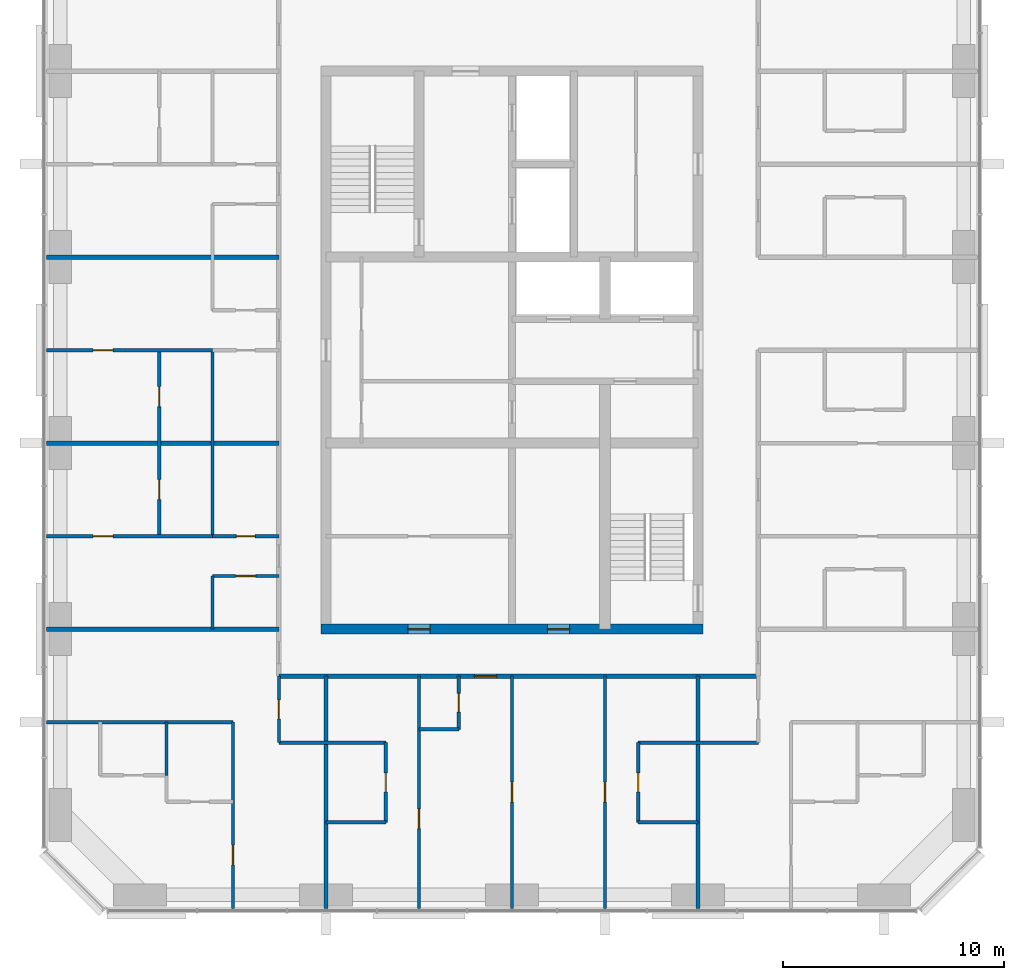
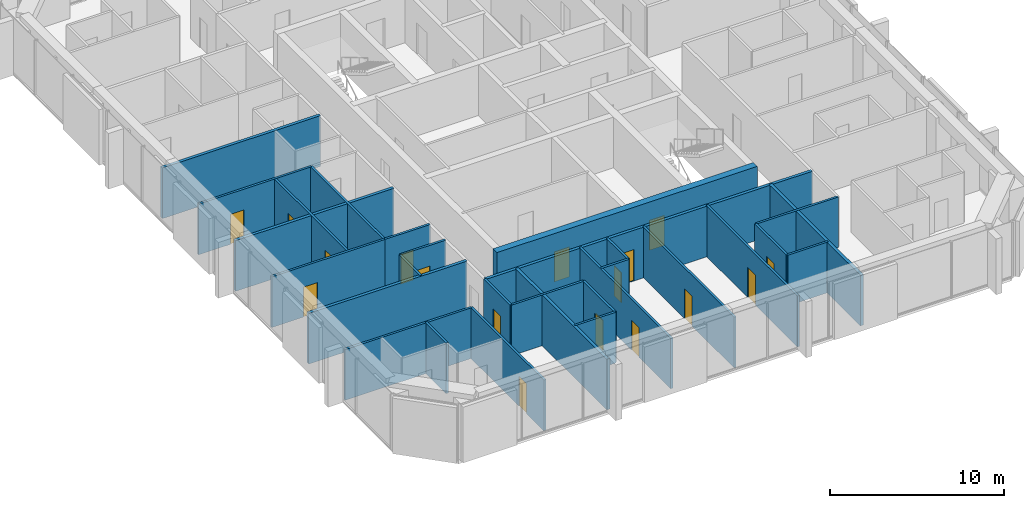
# One storey, part 7 of 12: 29 walls, 17 doors, 17 openings.
"""IFC4 building model written with IfcOpenShell, lengths in metres."""

from ifc_helpers import new_model, si_unit, direction, frame, frame_2d, origin, place, context, subcontext, project, spatial, rectangle, extrude, material, layer, layer_set, type_object, element, fill, save


model = new_model("IFC4")

# Units and contexts
model_context = context("Model", 3, precision=1e-05, world=origin(), true_north=direction((0.0, 1.0)))
body_context = subcontext(model_context, "Body", "Model", "MODEL_VIEW")
ifc_project = project(units=[si_unit("LENGTHUNIT", "METRE"), si_unit("AREAUNIT", "SQUARE_METRE"), si_unit("VOLUMEUNIT", "CUBIC_METRE"), si_unit("PLANEANGLEUNIT", "RADIAN"), si_unit("MASSUNIT", "GRAM", prefix="KILO")], contexts=[model_context])

# Site, building, storey
site_placement = place(None, origin())
site = spatial("IfcSite", under=ifc_project, at=site_placement, CompositionType="ELEMENT")
building_placement = place(site_placement, origin())
building = spatial("IfcBuilding", under=site, at=building_placement, Name="Dunama Terrace Hotel", CompositionType="ELEMENT")
storey_placement = place(building_placement, frame((0.0, 0.0, 256.800048828125)))
storey = spatial("IfcBuildingStorey", under=building, at=storey_placement, Name="L66", CompositionType="ELEMENT", Elevation=256.800048828125)

# Wall, opening, door
ifc_material_1 = material(Name="Gypsum board partition", Category="masonry")
ifc_layer_1 = layer(ifc_material_1, 0.14990234375)
ifc_layer_set_1 = layer_set([ifc_layer_1], Name="Bathroom partition 150")
wall_type_1 = type_object("IfcWallType", Name="Bathroom partition 150", PredefinedType="PARTITIONING", material=ifc_layer_set_1)
wall_1_placement = place(storey_placement, frame((23.074951171875, 11.675048828125, 0.0), z_axis=(0.0, 0.0, 1.0), x_axis=(0.0, 1.0, 0.0)))
wall_1 = element("IfcWall", 1, at=wall_1_placement, inside=storey, type_object=wall_type_1, Name="Bathroom partition 150 L66", PredefinedType="PARTITIONING", context=body_context, shape_type="SweptSolid", body=[
    extrude(rectangle(XDim=3.0, YDim=0.14990234375, at=frame_2d((1.5, 0.0))), origin(), (0.0, 0.0, 1.0), 3.550048828125),
])
opening_1_placement = place(wall_1_placement, frame((1.074951171875, 0.0, 0.0)))
opening_1 = element("IfcOpeningElement", 2, at=opening_1_placement, cuts=wall_1, Name="Opening L65-67-045", PredefinedType="OPENING", context=body_context, shape_type="SweptSolid", body=[
    extrude(rectangle(XDim=0.85009765625, YDim=2.10009765625, at=frame_2d((0.425048828125, 1.050048828125))), frame((0.0, 0.0849609375, 0.0), z_axis=(0.0, -1.0, 0.0), x_axis=(1.0, 0.0, 0.0)), (0.0, 0.0, 1.0), 0.169921875),
])
ifc_material_2 = material(Name="Timber door with steel frame", Category="steel")
door_type_1 = type_object("IfcDoorType", Name="Bathroom door 850", OperationType="SINGLE_SWING_LEFT", PredefinedType="DOOR", material=ifc_material_2)
door_1_placement = place(opening_1_placement, frame((0.85009765625, 0.0, 0.0), z_axis=(0.0, 0.0, 1.0), x_axis=(-1.0, 0.0, 0.0)))
door_1 = element("IfcDoor", 3, at=door_1_placement, inside=storey, type_object=door_type_1, Name="Door to powder room L65-67-045, type D2", OperationType="SINGLE_SWING_LEFT", OverallHeight=2.10009765625, OverallWidth=0.85009765625, PredefinedType="DOOR", context=body_context, shape_type="SweptSolid", body=[
    extrude(rectangle(XDim=0.85009765625, YDim=2.10009765625, at=frame_2d((0.425048828125, 1.050048828125))), frame((0.0, 0.025146484375, 0.0), z_axis=(0.0, -1.0, 0.0), x_axis=(1.0, 0.0, 0.0)), (0.0, 0.0, 1.0), 0.050048828125),
])
fill(opening_1, door_1)

wall_2_placement = place(storey_placement, frame((27.89990234375, 8.074951171875, 0.0), z_axis=(0.0, 0.0, 1.0), x_axis=(0.0, 1.0, 0.0)))
wall_2 = element("IfcWall", 4, at=wall_2_placement, inside=storey, type_object=wall_type_1, Name="Bathroom partition 150 L66", PredefinedType="PARTITIONING", context=body_context, shape_type="SweptSolid", body=[
    extrude(rectangle(XDim=3.60009765625, YDim=0.14990234375, at=frame_2d((1.800048828125, 0.0))), origin(), (0.0, 0.0, 1.0), 3.550048828125),
])
opening_2_placement = place(wall_2_placement, frame((1.375, 0.0, 0.0)))
opening_2 = element("IfcOpeningElement", 5, at=opening_2_placement, cuts=wall_2, Name="Opening L65-67-010", PredefinedType="OPENING", context=body_context, shape_type="SweptSolid", body=[
    extrude(rectangle(XDim=0.85009765625, YDim=2.10009765625, at=frame_2d((0.425048828125, 1.050048828125))), frame((0.0, 0.0849609375, 0.0), z_axis=(0.0, -1.0, 0.0), x_axis=(1.0, 0.0, 0.0)), (0.0, 0.0, 1.0), 0.169921875),
])
door_2_placement = place(opening_2_placement, origin())
door_2 = element("IfcDoor", 6, at=door_2_placement, inside=storey, type_object=door_type_1, Name="Door to en-suite bathroom L65-67-010, type D2", OperationType="SINGLE_SWING_LEFT", OverallHeight=2.10009765625, OverallWidth=0.85009765625, PredefinedType="DOOR", context=body_context, shape_type="SweptSolid", body=[
    extrude(rectangle(XDim=0.85009765625, YDim=2.10009765625, at=frame_2d((0.425048828125, 1.050048828125))), frame((0.0, 0.02490234375, 0.0), z_axis=(0.0, -1.0, 0.0), x_axis=(1.0, 0.0, 0.0)), (0.0, 0.0, 1.0), 0.050048828125),
])
fill(opening_2, door_2)

wall_3_placement = place(storey_placement, frame((31.199951171875, 12.27490234375, 0.0), z_axis=(0.0, 0.0, 1.0), x_axis=(0.0, 1.0, 0.0)))
wall_3 = element("IfcWall", 7, at=wall_3_placement, inside=storey, type_object=wall_type_1, Name="Bathroom partition 150 L66", PredefinedType="PARTITIONING", context=body_context, shape_type="SweptSolid", body=[
    extrude(rectangle(XDim=2.400146484375, YDim=0.14990234375, at=frame_2d((1.2001953125, 0.0))), origin(), (0.0, 0.0, 1.0), 3.550048828125),
])
opening_3_placement = place(wall_3_placement, frame((0.77490234375, 0.0, 0.0)))
opening_3 = element("IfcOpeningElement", 8, at=opening_3_placement, cuts=wall_3, Name="Opening L65-67-008", PredefinedType="OPENING", context=body_context, shape_type="SweptSolid", body=[
    extrude(rectangle(XDim=0.85009765625, YDim=2.10009765625, at=frame_2d((0.425048828125, 1.050048828125))), frame((0.0, 0.0849609375, 0.0), z_axis=(0.0, -1.0, 0.0), x_axis=(1.0, 0.0, 0.0)), (0.0, 0.0, 1.0), 0.169921875),
])
door_3_placement = place(opening_3_placement, origin())
door_3 = element("IfcDoor", 9, at=door_3_placement, inside=storey, type_object=door_type_1, Name="Door to powder room L65-67-008, type D2", OperationType="SINGLE_SWING_RIGHT", OverallHeight=2.10009765625, OverallWidth=0.85009765625, PredefinedType="DOOR", context=body_context, shape_type="SweptSolid", body=[
    extrude(rectangle(XDim=0.85009765625, YDim=2.10009765625, at=frame_2d((0.425048828125, 1.050048828125))), frame((0.0, 0.02490234375, 0.0), z_axis=(0.0, -1.0, 0.0), x_axis=(1.0, 0.0, 0.0)), (0.0, 0.0, 1.0), 0.050048828125),
])
fill(opening_3, door_3)

wall_4_placement = place(storey_placement, frame((39.300048828125, 8.074951171875, 0.0), z_axis=(0.0, 0.0, 1.0), x_axis=(0.0, 1.0, 0.0)))
wall_4 = element("IfcWall", 10, at=wall_4_placement, inside=storey, type_object=wall_type_1, Name="Bathroom partition 150 L66", PredefinedType="PARTITIONING", context=body_context, shape_type="SweptSolid", body=[
    extrude(rectangle(XDim=3.60009765625, YDim=0.14990234375, at=frame_2d((1.800048828125, 0.0))), origin(), (0.0, 0.0, 1.0), 3.550048828125),
])
opening_4_placement = place(wall_4_placement, frame((1.375, 0.0, 0.0)))
opening_4 = element("IfcOpeningElement", 11, at=opening_4_placement, cuts=wall_4, Name="Opening L65-67-013", PredefinedType="OPENING", context=body_context, shape_type="SweptSolid", body=[
    extrude(rectangle(XDim=0.85009765625, YDim=2.10009765625, at=frame_2d((0.425048828125, 1.050048828125))), frame((0.0, 0.0849609375, 0.0), z_axis=(0.0, -1.0, 0.0), x_axis=(1.0, 0.0, 0.0)), (0.0, 0.0, 1.0), 0.169921875),
])
door_4_placement = place(opening_4_placement, frame((0.85009765625, 0.0, 0.0), z_axis=(0.0, 0.0, 1.0), x_axis=(-1.0, 0.0, 0.0)))
door_4 = element("IfcDoor", 12, at=door_4_placement, inside=storey, type_object=door_type_1, Name="Door to en-suite bathroom L65-67-013, type D2", OperationType="SINGLE_SWING_RIGHT", OverallHeight=2.10009765625, OverallWidth=0.85009765625, PredefinedType="DOOR", context=body_context, shape_type="SweptSolid", body=[
    extrude(rectangle(XDim=0.85009765625, YDim=2.10009765625, at=frame_2d((0.425048828125, 1.050048828125))), frame((0.0, 0.025146484375, 0.0), z_axis=(0.0, -1.0, 0.0), x_axis=(1.0, 0.0, 0.0)), (0.0, 0.0, 1.0), 0.050048828125),
])
fill(opening_4, door_4)

# Walls
for number, where, z_axis, x_axis, name in (
    (13, (25.199951171875, 8.074951171875, 0.0), (0.0, 0.0, 1.0), (1.0, 0.0, 0.0), "Bathroom partition 150 L66"),
    (14, (39.300048828125, 8.074951171875, 0.0), (0.0, 0.0, 1.0), (1.0, 0.0, 0.0), "Bathroom partition 150 L66"),
):
    element("IfcWall", number, at=place(storey_placement, frame(where, z_axis=z_axis, x_axis=x_axis)), inside=storey, type_object=wall_type_1, Name=name, PredefinedType="PARTITIONING", context=body_context, shape_type="SweptSolid", body=[
        extrude(rectangle(XDim=2.699951171875, YDim=0.14990234375, at=frame_2d((1.35009765625, 0.0))), origin(), (0.0, 0.0, 1.0), 3.550048828125),
    ])
wall_5_placement = place(storey_placement, frame((23.074951171875, 11.675048828125, 0.0), z_axis=(0.0, 0.0, 1.0), x_axis=(1.0, 0.0, 0.0)))
element("IfcWall", 15, at=wall_5_placement, inside=storey, type_object=wall_type_1, Name="Bathroom partition 150 L66", PredefinedType="PARTITIONING", context=body_context, shape_type="SweptSolid", body=[
    extrude(rectangle(XDim=4.824951171875, YDim=0.14990234375, at=frame_2d((2.41259765625, 0.0))), origin(), (0.0, 0.0, 1.0), 3.550048828125),
])
wall_6_placement = place(storey_placement, frame((39.300048828125, 11.675048828125, 0.0), z_axis=(0.0, 0.0, 1.0), x_axis=(1.0, 0.0, 0.0)))
element("IfcWall", 16, at=wall_6_placement, inside=storey, type_object=wall_type_1, Name="Bathroom partition 150 L66", PredefinedType="PARTITIONING", context=body_context, shape_type="SweptSolid", body=[
    extrude(rectangle(XDim=5.425048828125, YDim=0.14990234375, at=frame_2d((2.71240234375, 0.0))), origin(), (0.0, 0.0, 1.0), 3.550048828125),
])
wall_7_placement = place(storey_placement, frame((29.39990234375, 12.27490234375, 0.0), z_axis=(0.0, 0.0, 1.0), x_axis=(1.0, 0.0, 0.0)))
element("IfcWall", 17, at=wall_7_placement, inside=storey, type_object=wall_type_1, Name="Bathroom partition 150 L66", PredefinedType="PARTITIONING", context=body_context, shape_type="SweptSolid", body=[
    extrude(rectangle(XDim=1.800048828125, YDim=0.14990234375, at=frame_2d((0.89990234375, 0.0))), origin(), (0.0, 0.0, 1.0), 3.550048828125),
])

# Wall, opening, door
wall_8_placement = place(storey_placement, frame((20.074951171875, 21.0, 0.0), z_axis=(0.0, 0.0, 1.0), x_axis=(1.0, 0.0, 0.0)))
wall_8 = element("IfcWall", 18, at=wall_8_placement, inside=storey, type_object=wall_type_1, Name="Bathroom partition 150 L66", PredefinedType="PARTITIONING", context=body_context, shape_type="SweptSolid", body=[
    extrude(rectangle(XDim=3.0, YDim=0.14990234375, at=frame_2d((1.5, 0.0))), origin(), (0.0, 0.0, 1.0), 3.550048828125),
])
opening_5_placement = place(wall_8_placement, frame((1.074951171875, 0.0, 0.0)))
opening_5 = element("IfcOpeningElement", 19, at=opening_5_placement, cuts=wall_8, Name="Opening L65-67-031", PredefinedType="OPENING", context=body_context, shape_type="SweptSolid", body=[
    extrude(rectangle(XDim=0.85009765625, YDim=2.10009765625, at=frame_2d((0.425048828125, 1.050048828125))), frame((0.0, 0.0849609375, 0.0), z_axis=(0.0, -1.0, 0.0), x_axis=(1.0, 0.0, 0.0)), (0.0, 0.0, 1.0), 0.169921875),
])
door_5_placement = place(opening_5_placement, origin())
door_5 = element("IfcDoor", 20, at=door_5_placement, inside=storey, type_object=door_type_1, Name="Door to residence bathroom L65-67-031, type D2", OperationType="SINGLE_SWING_RIGHT", OverallHeight=2.10009765625, OverallWidth=0.85009765625, PredefinedType="DOOR", context=body_context, shape_type="SweptSolid", body=[
    extrude(rectangle(XDim=0.85009765625, YDim=2.10009765625, at=frame_2d((0.425048828125, 1.050048828125))), frame((0.0, 0.02490234375, 0.0), z_axis=(0.0, -1.0, 0.0), x_axis=(1.0, 0.0, 0.0)), (0.0, 0.0, 1.0), 0.050048828125),
])
fill(opening_5, door_5)

# Wall, openings, doors
ifc_material_3 = material(Name="Concrete C50/60", Category="concrete")
ifc_layer_2 = layer(ifc_material_3, 0.449951171875)
ifc_layer_set_2 = layer_set([ifc_layer_2], Name="Core wall 450")
wall_type_2 = type_object("IfcWallType", Name="Core wall 450", PredefinedType="SHEAR", material=ifc_layer_set_2)
wall_9_placement = place(storey_placement, frame((24.97509765625, 16.800048828125, -0.35009765625), z_axis=(0.0, 0.0, 1.0), x_axis=(1.0, 0.0, 0.0)))
wall_9 = element("IfcWall", 21, at=wall_9_placement, inside=storey, type_object=wall_type_2, Name="Core wall south L66", PredefinedType="SHEAR", context=body_context, shape_type="SweptSolid", body=[
    extrude(rectangle(XDim=17.25, YDim=0.449951171875, at=frame_2d((8.625, 0.0))), origin(), (0.0, 0.0, 1.0), 3.900146484375),
])
opening_6_placement = place(wall_9_placement, frame((3.925048828125, 0.0, 0.35009765625)))
opening_6 = element("IfcOpeningElement", 22, at=opening_6_placement, cuts=wall_9, Name="Opening L65-67-073", PredefinedType="OPENING", context=body_context, shape_type="SweptSolid", body=[
    extrude(rectangle(XDim=1.0, YDim=2.10009765625, at=frame_2d((0.5, 1.050048828125))), frame((0.0, 0.23486328125, 0.0), z_axis=(0.0, -1.0, 0.0), x_axis=(1.0, 0.0, 0.0)), (0.0, 0.0, 1.0), 0.469970703125),
])
opening_7_placement = place(wall_9_placement, frame((10.22509765625, 0.0, 0.35009765625)))
opening_7 = element("IfcOpeningElement", 23, at=opening_7_placement, cuts=wall_9, Name="Opening L65-67-075", PredefinedType="OPENING", context=body_context, shape_type="SweptSolid", body=[
    extrude(rectangle(XDim=1.0, YDim=2.10009765625, at=frame_2d((0.5, 1.050048828125))), frame((0.0, 0.23486328125, 0.0), z_axis=(0.0, -1.0, 0.0), x_axis=(1.0, 0.0, 0.0)), (0.0, 0.0, 1.0), 0.469970703125),
])
ifc_material_4 = material(Name="Timber door with steel frame", Category="steel")
door_type_2 = type_object("IfcDoorType", Name="Service door 1000", OperationType="SINGLE_SWING_LEFT", PredefinedType="DOOR", material=ifc_material_4)
door_6_placement = place(opening_6_placement, origin())
door_6 = element("IfcDoor", 24, at=door_6_placement, inside=storey, type_object=door_type_2, Name="Door to corridor air handling room L65-67-073, type D7", OperationType="SINGLE_SWING_LEFT", OverallHeight=2.10009765625, OverallWidth=1.0, PredefinedType="DOOR", context=body_context, shape_type="SweptSolid", body=[
    extrude(rectangle(XDim=1.0, YDim=2.10009765625, at=frame_2d((0.5, 1.050048828125))), frame((0.0, 0.02490234375, 0.0), z_axis=(0.0, -1.0, 0.0), x_axis=(1.0, 0.0, 0.0)), (0.0, 0.0, 1.0), 0.050048828125),
])
fill(opening_6, door_6)
door_7_placement = place(opening_7_placement, origin())
door_7 = element("IfcDoor", 25, at=door_7_placement, inside=storey, type_object=door_type_2, Name="Door to water riser room L65-67-075, type D7", OperationType="SINGLE_SWING_RIGHT", OverallHeight=2.10009765625, OverallWidth=1.0, PredefinedType="DOOR", context=body_context, shape_type="SweptSolid", body=[
    extrude(rectangle(XDim=1.0, YDim=2.10009765625, at=frame_2d((0.5, 1.050048828125))), frame((0.0, 0.02490234375, 0.0), z_axis=(0.0, -1.0, 0.0), x_axis=(1.0, 0.0, 0.0)), (0.0, 0.0, 1.0), 0.050048828125),
])
fill(opening_7, door_7)

# Wall, opening, door
ifc_material_5 = material(Name="Concrete blockwork", Category="masonry")
ifc_layer_3 = layer(ifc_material_5, 0.199951171875)
ifc_layer_set_3 = layer_set([ifc_layer_3], Name="Corridor partition 200")
wall_type_3 = type_object("IfcWallType", Name="Corridor partition 200", PredefinedType="PARTITIONING", material=ifc_layer_set_3)
wall_10_placement = place(storey_placement, frame((44.72509765625, 14.675048828125, 0.0), z_axis=(0.0, 0.0, 1.0), x_axis=(-1.0, 0.0, 0.0)))
wall_10 = element("IfcWall", 26, at=wall_10_placement, inside=storey, type_object=wall_type_3, Name="Corridor partition 200 L66", PredefinedType="PARTITIONING", context=body_context, shape_type="SweptSolid", body=[
    extrude(rectangle(XDim=21.650146484375, YDim=0.199951171875, at=frame_2d((10.8251953125, 0.0))), origin(), (0.0, 0.0, 1.0), 3.550048828125),
])
opening_8_placement = place(wall_10_placement, frame((11.824951171875, 0.0, 0.0)))
opening_8 = element("IfcOpeningElement", 27, at=opening_8_placement, cuts=wall_10, Name="Opening L65-67-007", PredefinedType="OPENING", context=body_context, shape_type="SweptSolid", body=[
    extrude(rectangle(XDim=1.0, YDim=2.199951171875, at=frame_2d((0.5, 1.10009765625))), frame((0.0, 0.10986328125, 0.0), z_axis=(0.0, -1.0, 0.0), x_axis=(1.0, 0.0, 0.0)), (0.0, 0.0, 1.0), 0.219970703125),
])
ifc_material_6 = material(Name="Timber door with steel frame", Category="steel")
door_type_3 = type_object("IfcDoorType", Name="Guest room door 1000", OperationType="SINGLE_SWING_LEFT", PredefinedType="DOOR", material=ifc_material_6)
door_8_placement = place(opening_8_placement, origin())
door_8 = element("IfcDoor", 28, at=door_8_placement, inside=storey, type_object=door_type_3, Name="Door to grand suite living room L65-67-007, type D1", OperationType="SINGLE_SWING_LEFT", OverallHeight=2.199951171875, OverallWidth=1.0, PredefinedType="DOOR", context=body_context, shape_type="SweptSolid", body=[
    extrude(rectangle(XDim=1.0, YDim=2.199951171875, at=frame_2d((0.5, 1.10009765625))), frame((0.0, 0.02490234375, 0.0), z_axis=(0.0, -1.0, 0.0), x_axis=(1.0, 0.0, 0.0)), (0.0, 0.0, 1.0), 0.050048828125),
])
fill(opening_8, door_8)

# Walls
ifc_material_7 = material(Name="Concrete blockwork", Category="masonry")
ifc_layer_4 = layer(ifc_material_7, 0.199951171875)
ifc_layer_set_4 = layer_set([ifc_layer_4], Name="Party wall 200")
wall_type_4 = type_object("IfcWallType", Name="Party wall 200", PredefinedType="PARTITIONING", material=ifc_layer_set_4)
for number, where, z_axis, x_axis, name in (
    (29, (25.199951171875, 4.181884765625, 0.0), (0.0, 0.0, 1.0), (0.0, 1.0, 0.0), "Party wall 200 L66"),
    (30, (42.0, 4.181884765625, 0.0), (0.0, 0.0, 1.0), (0.0, 1.0, 0.0), "Party wall 200 L66"),
):
    element("IfcWall", number, at=place(storey_placement, frame(where, z_axis=z_axis, x_axis=x_axis)), inside=storey, type_object=wall_type_4, Name=name, PredefinedType="PARTITIONING", context=body_context, shape_type="SweptSolid", body=[
        extrude(rectangle(XDim=10.4931640625, YDim=0.199951171875, at=frame_2d((5.24658203125, 0.0))), origin(), (0.0, 0.0, 1.0), 3.550048828125),
    ])
for number, where, z_axis, x_axis, name in (
    (31, (12.58203125, 16.800048828125, 0.0), (0.0, 0.0, 1.0), (1.0, 0.0, 0.0), "Party wall 200 L66"),
    (32, (12.58203125, 25.199951171875, 0.0), (0.0, 0.0, 1.0), (1.0, 0.0, 0.0), "Party wall 200 L66"),
    (33, (12.58203125, 33.60009765625, 0.0), (0.0, 0.0, 1.0), (1.0, 0.0, 0.0), "Party wall 200 L66"),
):
    element("IfcWall", number, at=place(storey_placement, frame(where, z_axis=z_axis, x_axis=x_axis)), inside=storey, type_object=wall_type_4, Name=name, PredefinedType="PARTITIONING", context=body_context, shape_type="SweptSolid", body=[
        extrude(rectangle(XDim=10.492919921875, YDim=0.199951171875, at=frame_2d((5.24658203125, 0.0))), origin(), (0.0, 0.0, 1.0), 3.550048828125),
    ])

# Wall, openings, doors
ifc_material_8 = material(Name="Gypsum board partition", Category="masonry")
ifc_layer_5 = layer(ifc_material_8, 0.14990234375)
ifc_layer_set_5 = layer_set([ifc_layer_5], Name="Room partition 150")
wall_type_5 = type_object("IfcWallType", Name="Room partition 150", PredefinedType="PARTITIONING", material=ifc_layer_set_5)
wall_11_placement = place(storey_placement, frame((17.675048828125, 21.0, 0.0), z_axis=(0.0, 0.0, 1.0), x_axis=(0.0, 1.0, 0.0)))
wall_11 = element("IfcWall", 34, at=wall_11_placement, inside=storey, type_object=wall_type_5, Name="Room partition 150 L66", PredefinedType="PARTITIONING", context=body_context, shape_type="SweptSolid", body=[
    extrude(rectangle(XDim=8.39990234375, YDim=0.14990234375, at=frame_2d((4.199951171875, 0.0))), origin(), (0.0, 0.0, 1.0), 3.550048828125),
])
opening_9_placement = place(wall_11_placement, frame((1.64990234375, 0.0, 0.0)))
opening_9 = element("IfcOpeningElement", 35, at=opening_9_placement, cuts=wall_11, Name="Opening L65-67-032", PredefinedType="OPENING", context=body_context, shape_type="SweptSolid", body=[
    extrude(rectangle(XDim=0.89990234375, YDim=2.10009765625, at=frame_2d((0.449951171875, 1.050048828125))), frame((0.0, 0.0849609375, 0.0), z_axis=(0.0, -1.0, 0.0), x_axis=(1.0, 0.0, 0.0)), (0.0, 0.0, 1.0), 0.169921875),
])
opening_10_placement = place(wall_11_placement, frame((5.85009765625, 0.0, 0.0)))
opening_10 = element("IfcOpeningElement", 36, at=opening_10_placement, cuts=wall_11, Name="Opening L65-67-037", PredefinedType="OPENING", context=body_context, shape_type="SweptSolid", body=[
    extrude(rectangle(XDim=0.89990234375, YDim=2.10009765625, at=frame_2d((0.449951171875, 1.050048828125))), frame((0.0, 0.0849609375, 0.0), z_axis=(0.0, -1.0, 0.0), x_axis=(1.0, 0.0, 0.0)), (0.0, 0.0, 1.0), 0.169921875),
])
ifc_material_9 = material(Name="Timber door with steel frame", Category="steel")
door_type_4 = type_object("IfcDoorType", Name="Suite internal door 900", OperationType="SINGLE_SWING_LEFT", PredefinedType="DOOR", material=ifc_material_9)
door_9_placement = place(opening_9_placement, frame((0.89990234375, 0.0, 0.0), z_axis=(0.0, 0.0, 1.0), x_axis=(-1.0, 0.0, 0.0)))
door_9 = element("IfcDoor", 37, at=door_9_placement, inside=storey, type_object=door_type_4, Name="Door to walk-in wardrobe L65-67-032, type D16", OperationType="SINGLE_SWING_RIGHT", OverallHeight=2.10009765625, OverallWidth=0.89990234375, PredefinedType="DOOR", context=body_context, shape_type="SweptSolid", body=[
    extrude(rectangle(XDim=0.89990234375, YDim=2.10009765625, at=frame_2d((0.449951171875, 1.050048828125))), frame((0.0, 0.025146484375, 0.0), z_axis=(0.0, -1.0, 0.0), x_axis=(1.0, 0.0, 0.0)), (0.0, 0.0, 1.0), 0.050048828125),
])
fill(opening_9, door_9)
door_10_placement = place(opening_10_placement, frame((0.89990234375, 0.0, 0.0), z_axis=(0.0, 0.0, 1.0), x_axis=(-1.0, 0.0, 0.0)))
door_10 = element("IfcDoor", 38, at=door_10_placement, inside=storey, type_object=door_type_4, Name="Door to walk-in wardrobe L65-67-037, type D16", OperationType="SINGLE_SWING_RIGHT", OverallHeight=2.10009765625, OverallWidth=0.89990234375, PredefinedType="DOOR", context=body_context, shape_type="SweptSolid", body=[
    extrude(rectangle(XDim=0.89990234375, YDim=2.10009765625, at=frame_2d((0.449951171875, 1.050048828125))), frame((0.0, 0.025146484375, 0.0), z_axis=(0.0, -1.0, 0.0), x_axis=(1.0, 0.0, 0.0)), (0.0, 0.0, 1.0), 0.050048828125),
])
fill(opening_10, door_10)

# Walls
wall_12_placement = place(storey_placement, frame((18.0, 10.199951171875, 0.0), z_axis=(0.0, 0.0, 1.0), x_axis=(0.0, 1.0, 0.0)))
element("IfcWall", 39, at=wall_12_placement, inside=storey, type_object=wall_type_5, Name="Room partition 150 L66", PredefinedType="PARTITIONING", context=body_context, shape_type="SweptSolid", body=[
    extrude(rectangle(XDim=2.400146484375, YDim=0.14990234375, at=frame_2d((1.2001953125, 0.0))), origin(), (0.0, 0.0, 1.0), 3.550048828125),
])
wall_13_placement = place(storey_placement, frame((20.074951171875, 16.800048828125, 0.0), z_axis=(0.0, 0.0, 1.0), x_axis=(0.0, 1.0, 0.0)))
element("IfcWall", 40, at=wall_13_placement, inside=storey, type_object=wall_type_5, Name="Room partition 150 L66", PredefinedType="PARTITIONING", context=body_context, shape_type="SweptSolid", body=[
    extrude(rectangle(XDim=2.39990234375, YDim=0.14990234375, at=frame_2d((1.199951171875, 0.0))), origin(), (0.0, 0.0, 1.0), 3.550048828125),
])
wall_14_placement = place(storey_placement, frame((20.074951171875, 21.0, 0.0), z_axis=(0.0, 0.0, 1.0), x_axis=(0.0, 1.0, 0.0)))
element("IfcWall", 41, at=wall_14_placement, inside=storey, type_object=wall_type_5, Name="Room partition 150 L66", PredefinedType="PARTITIONING", context=body_context, shape_type="SweptSolid", body=[
    extrude(rectangle(XDim=8.39990234375, YDim=0.14990234375, at=frame_2d((4.199951171875, 0.0))), origin(), (0.0, 0.0, 1.0), 3.550048828125),
])

# Wall, opening, door
wall_15_placement = place(storey_placement, frame((21.0, 4.181884765625, 0.0), z_axis=(0.0, 0.0, 1.0), x_axis=(0.0, 1.0, 0.0)))
wall_15 = element("IfcWall", 42, at=wall_15_placement, inside=storey, type_object=wall_type_5, Name="Room partition 150 L66", PredefinedType="PARTITIONING", context=body_context, shape_type="SweptSolid", body=[
    extrude(rectangle(XDim=8.418212890625, YDim=0.14990234375, at=frame_2d((4.208984375, 0.0))), origin(), (0.0, 0.0, 1.0), 3.550048828125),
])
opening_11_placement = place(wall_15_placement, frame((1.968017578125, 0.0, 0.0)))
opening_11 = element("IfcOpeningElement", 43, at=opening_11_placement, cuts=wall_15, Name="Opening L65-67-046", PredefinedType="OPENING", context=body_context, shape_type="SweptSolid", body=[
    extrude(rectangle(XDim=0.89990234375, YDim=2.10009765625, at=frame_2d((0.449951171875, 1.050048828125))), frame((0.0, 0.0849609375, 0.0), z_axis=(0.0, -1.0, 0.0), x_axis=(1.0, 0.0, 0.0)), (0.0, 0.0, 1.0), 0.169921875),
])
door_11_placement = place(opening_11_placement, origin())
door_11 = element("IfcDoor", 44, at=door_11_placement, inside=storey, type_object=door_type_4, Name="Door to grand corner suite bedroom L65-67-046, type D16", OperationType="SINGLE_SWING_RIGHT", OverallHeight=2.10009765625, OverallWidth=0.89990234375, PredefinedType="DOOR", context=body_context, shape_type="SweptSolid", body=[
    extrude(rectangle(XDim=0.89990234375, YDim=2.10009765625, at=frame_2d((0.449951171875, 1.050048828125))), frame((0.0, 0.02490234375, 0.0), z_axis=(0.0, -1.0, 0.0), x_axis=(1.0, 0.0, 0.0)), (0.0, 0.0, 1.0), 0.050048828125),
])
fill(opening_11, door_11)

wall_16_placement = place(storey_placement, frame((29.39990234375, 4.181884765625, 0.0), z_axis=(0.0, 0.0, 1.0), x_axis=(0.0, 1.0, 0.0)))
wall_16 = element("IfcWall", 45, at=wall_16_placement, inside=storey, type_object=wall_type_5, Name="Room partition 150 L66", PredefinedType="PARTITIONING", context=body_context, shape_type="SweptSolid", body=[
    extrude(rectangle(XDim=10.4931640625, YDim=0.14990234375, at=frame_2d((5.24658203125, 0.0))), origin(), (0.0, 0.0, 1.0), 3.550048828125),
])
opening_12_placement = place(wall_16_placement, frame((3.60595703125, 0.0, 0.0)))
opening_12 = element("IfcOpeningElement", 46, at=opening_12_placement, cuts=wall_16, Name="Opening L65-67-009", PredefinedType="OPENING", context=body_context, shape_type="SweptSolid", body=[
    extrude(rectangle(XDim=0.89990234375, YDim=2.10009765625, at=frame_2d((0.449951171875, 1.050048828125))), frame((0.0, 0.0849609375, 0.0), z_axis=(0.0, -1.0, 0.0), x_axis=(1.0, 0.0, 0.0)), (0.0, 0.0, 1.0), 0.169921875),
])
door_12_placement = place(opening_12_placement, origin())
door_12 = element("IfcDoor", 47, at=door_12_placement, inside=storey, type_object=door_type_4, Name="Door to grand suite bedroom L65-67-009, type D16", OperationType="SINGLE_SWING_RIGHT", OverallHeight=2.10009765625, OverallWidth=0.89990234375, PredefinedType="DOOR", context=body_context, shape_type="SweptSolid", body=[
    extrude(rectangle(XDim=0.89990234375, YDim=2.10009765625, at=frame_2d((0.449951171875, 1.050048828125))), frame((0.0, 0.02490234375, 0.0), z_axis=(0.0, -1.0, 0.0), x_axis=(1.0, 0.0, 0.0)), (0.0, 0.0, 1.0), 0.050048828125),
])
fill(opening_12, door_12)

wall_17_placement = place(storey_placement, frame((33.60009765625, 4.181884765625, 0.0), z_axis=(0.0, 0.0, 1.0), x_axis=(0.0, 1.0, 0.0)))
wall_17 = element("IfcWall", 48, at=wall_17_placement, inside=storey, type_object=wall_type_5, Name="Room partition 150 L66", PredefinedType="PARTITIONING", context=body_context, shape_type="SweptSolid", body=[
    extrude(rectangle(XDim=10.4931640625, YDim=0.14990234375, at=frame_2d((5.24658203125, 0.0))), origin(), (0.0, 0.0, 1.0), 3.550048828125),
])
opening_13_placement = place(wall_17_placement, frame((4.805908203125, 0.0, 0.0)))
opening_13 = element("IfcOpeningElement", 49, at=opening_13_placement, cuts=wall_17, Name="Opening L65-67-011", PredefinedType="OPENING", context=body_context, shape_type="SweptSolid", body=[
    extrude(rectangle(XDim=0.89990234375, YDim=2.10009765625, at=frame_2d((0.449951171875, 1.050048828125))), frame((0.0, 0.0849609375, 0.0), z_axis=(0.0, -1.0, 0.0), x_axis=(1.0, 0.0, 0.0)), (0.0, 0.0, 1.0), 0.169921875),
])
door_13_placement = place(opening_13_placement, origin())
door_13 = element("IfcDoor", 50, at=door_13_placement, inside=storey, type_object=door_type_4, Name="Door to grand suite study L65-67-011, type D16", OperationType="SINGLE_SWING_RIGHT", OverallHeight=2.10009765625, OverallWidth=0.89990234375, PredefinedType="DOOR", context=body_context, shape_type="SweptSolid", body=[
    extrude(rectangle(XDim=0.89990234375, YDim=2.10009765625, at=frame_2d((0.449951171875, 1.050048828125))), frame((0.0, 0.02490234375, 0.0), z_axis=(0.0, -1.0, 0.0), x_axis=(1.0, 0.0, 0.0)), (0.0, 0.0, 1.0), 0.050048828125),
])
fill(opening_13, door_13)

wall_18_placement = place(storey_placement, frame((37.800048828125, 4.181884765625, 0.0), z_axis=(0.0, 0.0, 1.0), x_axis=(0.0, 1.0, 0.0)))
wall_18 = element("IfcWall", 51, at=wall_18_placement, inside=storey, type_object=wall_type_5, Name="Room partition 150 L66", PredefinedType="PARTITIONING", context=body_context, shape_type="SweptSolid", body=[
    extrude(rectangle(XDim=10.4931640625, YDim=0.14990234375, at=frame_2d((5.24658203125, 0.0))), origin(), (0.0, 0.0, 1.0), 3.550048828125),
])
opening_14_placement = place(wall_18_placement, frame((4.805908203125, 0.0, 0.0)))
opening_14 = element("IfcOpeningElement", 52, at=opening_14_placement, cuts=wall_18, Name="Opening L65-67-012", PredefinedType="OPENING", context=body_context, shape_type="SweptSolid", body=[
    extrude(rectangle(XDim=0.89990234375, YDim=2.10009765625, at=frame_2d((0.449951171875, 1.050048828125))), frame((0.0, 0.0849609375, 0.0), z_axis=(0.0, -1.0, 0.0), x_axis=(1.0, 0.0, 0.0)), (0.0, 0.0, 1.0), 0.169921875),
])
door_14_placement = place(opening_14_placement, frame((0.89990234375, 0.0, 0.0), z_axis=(0.0, 0.0, 1.0), x_axis=(-1.0, 0.0, 0.0)))
door_14 = element("IfcDoor", 53, at=door_14_placement, inside=storey, type_object=door_type_4, Name="Door to grand suite second bedroom L65-67-012, type D16", OperationType="SINGLE_SWING_RIGHT", OverallHeight=2.10009765625, OverallWidth=0.89990234375, PredefinedType="DOOR", context=body_context, shape_type="SweptSolid", body=[
    extrude(rectangle(XDim=0.89990234375, YDim=2.10009765625, at=frame_2d((0.449951171875, 1.050048828125))), frame((0.0, 0.025146484375, 0.0), z_axis=(0.0, -1.0, 0.0), x_axis=(1.0, 0.0, 0.0)), (0.0, 0.0, 1.0), 0.050048828125),
])
fill(opening_14, door_14)

# Wall
wall_19_placement = place(storey_placement, frame((12.58203125, 12.60009765625, 0.0), z_axis=(0.0, 0.0, 1.0), x_axis=(1.0, 0.0, 0.0)))
element("IfcWall", 54, at=wall_19_placement, inside=storey, type_object=wall_type_5, Name="Room partition 150 L66", PredefinedType="PARTITIONING", context=body_context, shape_type="SweptSolid", body=[
    extrude(rectangle(XDim=8.41796875, YDim=0.14990234375, at=frame_2d((4.208984375, 0.0))), origin(), (0.0, 0.0, 1.0), 3.550048828125),
])

# Wall, opening, door
wall_20_placement = place(storey_placement, frame((20.074951171875, 19.199951171875, 0.0), z_axis=(0.0, 0.0, 1.0), x_axis=(1.0, 0.0, 0.0)))
wall_20 = element("IfcWall", 55, at=wall_20_placement, inside=storey, type_object=wall_type_5, Name="Room partition 150 L66", PredefinedType="PARTITIONING", context=body_context, shape_type="SweptSolid", body=[
    extrude(rectangle(XDim=3.0, YDim=0.14990234375, at=frame_2d((1.5, 0.0))), origin(), (0.0, 0.0, 1.0), 3.550048828125),
])
opening_15_placement = place(wall_20_placement, frame((1.050048828125, 0.0, 0.0)))
opening_15 = element("IfcOpeningElement", 56, at=opening_15_placement, cuts=wall_20, Name="Opening L65-67-030", PredefinedType="OPENING", context=body_context, shape_type="SweptSolid", body=[
    extrude(rectangle(XDim=0.89990234375, YDim=2.10009765625, at=frame_2d((0.449951171875, 1.050048828125))), frame((0.0, 0.0849609375, 0.0), z_axis=(0.0, -1.0, 0.0), x_axis=(1.0, 0.0, 0.0)), (0.0, 0.0, 1.0), 0.169921875),
])
door_15_placement = place(opening_15_placement, frame((0.89990234375, 0.0, 0.0), z_axis=(0.0, 0.0, 1.0), x_axis=(-1.0, 0.0, 0.0)))
door_15 = element("IfcDoor", 57, at=door_15_placement, inside=storey, type_object=door_type_4, Name="Door to residence kitchen L65-67-030, type D16", OperationType="SINGLE_SWING_LEFT", OverallHeight=2.10009765625, OverallWidth=0.89990234375, PredefinedType="DOOR", context=body_context, shape_type="SweptSolid", body=[
    extrude(rectangle(XDim=0.89990234375, YDim=2.10009765625, at=frame_2d((0.449951171875, 1.050048828125))), frame((0.0, 0.025146484375, 0.0), z_axis=(0.0, -1.0, 0.0), x_axis=(1.0, 0.0, 0.0)), (0.0, 0.0, 1.0), 0.050048828125),
])
fill(opening_15, door_15)

wall_21_placement = place(storey_placement, frame((12.58203125, 21.0, 0.0), z_axis=(0.0, 0.0, 1.0), x_axis=(1.0, 0.0, 0.0)))
wall_21 = element("IfcWall", 58, at=wall_21_placement, inside=storey, type_object=wall_type_5, Name="Room partition 150 L66", PredefinedType="PARTITIONING", context=body_context, shape_type="SweptSolid", body=[
    extrude(rectangle(XDim=7.492919921875, YDim=0.14990234375, at=frame_2d((3.74658203125, 0.0))), origin(), (0.0, 0.0, 1.0), 3.550048828125),
])
opening_16_placement = place(wall_21_placement, frame((2.10595703125, 0.0, 0.0)))
opening_16 = element("IfcOpeningElement", 59, at=opening_16_placement, cuts=wall_21, Name="Opening L65-67-033", PredefinedType="OPENING", context=body_context, shape_type="SweptSolid", body=[
    extrude(rectangle(XDim=0.89990234375, YDim=2.10009765625, at=frame_2d((0.449951171875, 1.050048828125))), frame((0.0, 0.0849609375, 0.0), z_axis=(0.0, -1.0, 0.0), x_axis=(1.0, 0.0, 0.0)), (0.0, 0.0, 1.0), 0.169921875),
])
door_16_placement = place(opening_16_placement, origin())
door_16 = element("IfcDoor", 60, at=door_16_placement, inside=storey, type_object=door_type_4, Name="Door to residence bedroom L65-67-033, type D16", OperationType="SINGLE_SWING_RIGHT", OverallHeight=2.10009765625, OverallWidth=0.89990234375, PredefinedType="DOOR", context=body_context, shape_type="SweptSolid", body=[
    extrude(rectangle(XDim=0.89990234375, YDim=2.10009765625, at=frame_2d((0.449951171875, 1.050048828125))), frame((0.0, 0.02490234375, 0.0), z_axis=(0.0, -1.0, 0.0), x_axis=(1.0, 0.0, 0.0)), (0.0, 0.0, 1.0), 0.050048828125),
])
fill(opening_16, door_16)

wall_22_placement = place(storey_placement, frame((12.58203125, 29.39990234375, 0.0), z_axis=(0.0, 0.0, 1.0), x_axis=(1.0, 0.0, 0.0)))
wall_22 = element("IfcWall", 61, at=wall_22_placement, inside=storey, type_object=wall_type_5, Name="Room partition 150 L66", PredefinedType="PARTITIONING", context=body_context, shape_type="SweptSolid", body=[
    extrude(rectangle(XDim=7.492919921875, YDim=0.14990234375, at=frame_2d((3.74658203125, 0.0))), origin(), (0.0, 0.0, 1.0), 3.550048828125),
])
opening_17_placement = place(wall_22_placement, frame((2.10595703125, 0.0, 0.0)))
opening_17 = element("IfcOpeningElement", 62, at=opening_17_placement, cuts=wall_22, Name="Opening L65-67-038", PredefinedType="OPENING", context=body_context, shape_type="SweptSolid", body=[
    extrude(rectangle(XDim=0.89990234375, YDim=2.10009765625, at=frame_2d((0.449951171875, 1.050048828125))), frame((0.0, 0.0849609375, 0.0), z_axis=(0.0, -1.0, 0.0), x_axis=(1.0, 0.0, 0.0)), (0.0, 0.0, 1.0), 0.169921875),
])
door_17_placement = place(opening_17_placement, frame((0.89990234375, 0.0, 0.0), z_axis=(0.0, 0.0, 1.0), x_axis=(-1.0, 0.0, 0.0)))
door_17 = element("IfcDoor", 63, at=door_17_placement, inside=storey, type_object=door_type_4, Name="Door to residence bedroom L65-67-038, type D16", OperationType="SINGLE_SWING_LEFT", OverallHeight=2.10009765625, OverallWidth=0.89990234375, PredefinedType="DOOR", context=body_context, shape_type="SweptSolid", body=[
    extrude(rectangle(XDim=0.89990234375, YDim=2.10009765625, at=frame_2d((0.449951171875, 1.050048828125))), frame((0.0, 0.025146484375, 0.0), z_axis=(0.0, -1.0, 0.0), x_axis=(1.0, 0.0, 0.0)), (0.0, 0.0, 1.0), 0.050048828125),
])
fill(opening_17, door_17)

save(model, "model.ifc")
